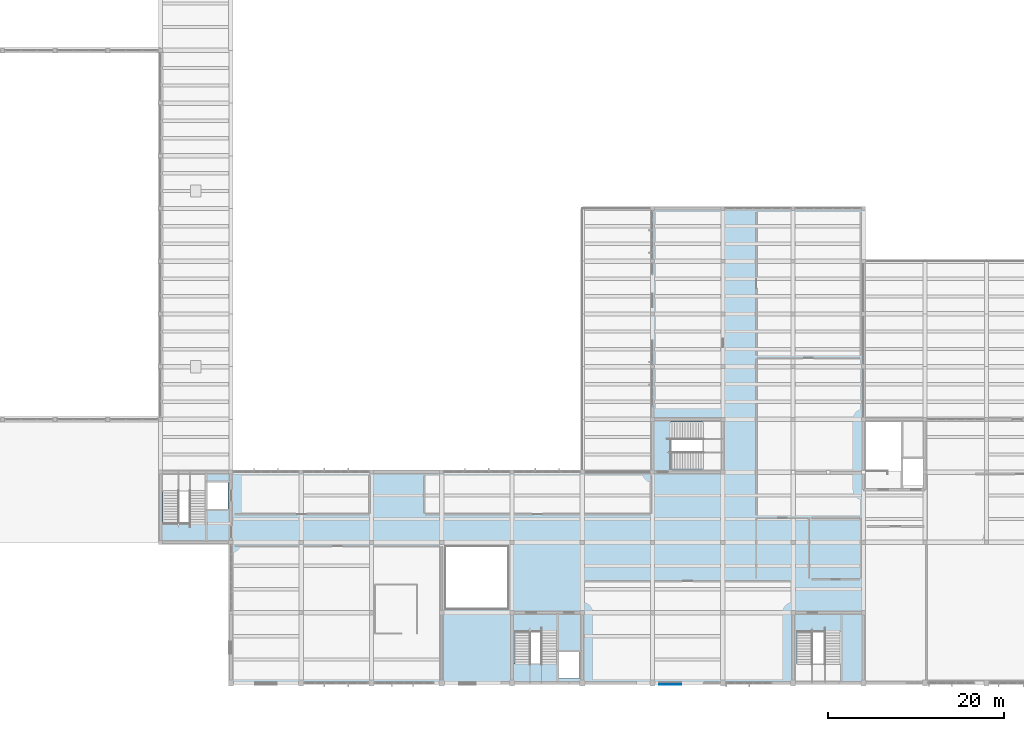
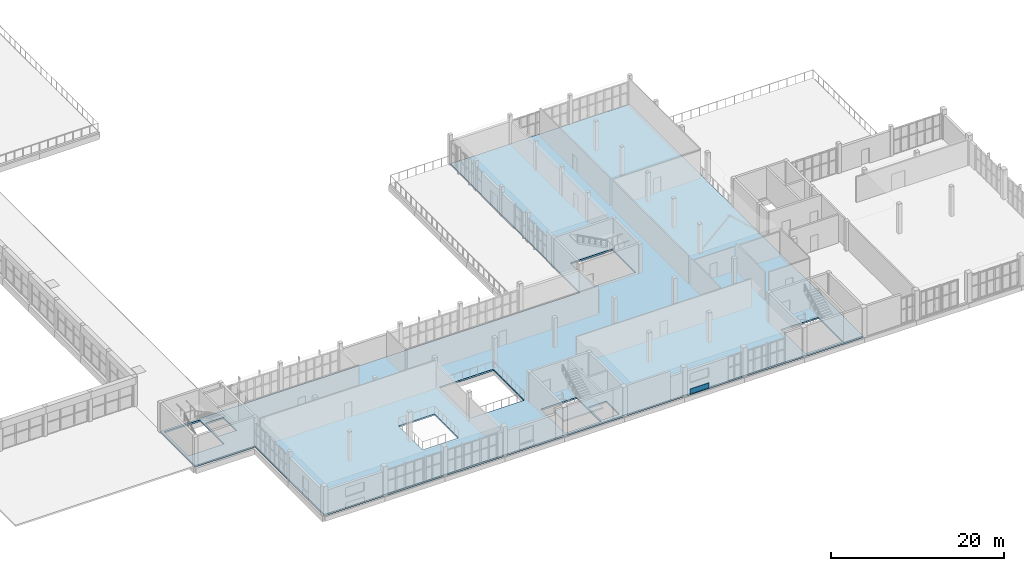
# One storey, part 44 of 70: 2 slabs, 1 plate, 1 element without a shape of its own.
"""IFC4 building model written with IfcOpenShell, lengths in metres."""

from ifc_helpers import new_model, si_unit, direction, frame, origin, origin_2d, place, context, subcontext, project, spatial, polyline, rectangle, outline, extrude, material, layer, layer_set, type_object, element, aggregate, save


model = new_model("IFC4")

# Units and contexts
model_context = context("Model", 3, precision=1e-05, world=origin(), true_north=direction((0.0, 1.0)))
body_context = subcontext(model_context, "Body", "Model", "MODEL_VIEW")
ifc_project = project(units=[si_unit("LENGTHUNIT", "METRE"), si_unit("AREAUNIT", "SQUARE_METRE"), si_unit("VOLUMEUNIT", "CUBIC_METRE"), si_unit("PLANEANGLEUNIT", "RADIAN"), si_unit("MASSUNIT", "GRAM", prefix="KILO")], contexts=[model_context])

# Site, building, storey
site_placement = place(None, origin())
site = spatial("IfcSite", under=ifc_project, at=site_placement, CompositionType="ELEMENT")
building_placement = place(site_placement, origin())
building = spatial("IfcBuilding", under=site, at=building_placement, Name="Solvane Community Centre", CompositionType="ELEMENT")
storey_placement = place(building_placement, frame((0.0, 0.0, 9.60009765625)))
storey = spatial("IfcBuildingStorey", under=building, at=storey_placement, Name="L02", CompositionType="ELEMENT", Elevation=9.60009765625)

# Plate
ifc_material_1 = material(Name="Anodised bronze aluminium AW-6063 T6", Category="aluminium")
ifc_layer_1 = layer(ifc_material_1, 0.02392578125)
ifc_layer_set_1 = layer_set([ifc_layer_1], Name="Anodised bronze aluminium AW-6063 T6")
plate_type = type_object("IfcPlateType", Name="Bronze Spandrel Cassette 24mm", PredefinedType="SHEET", material=ifc_layer_set_1)
plate_placement = place(storey_placement, frame((118.0, 5.81298828125, 0.06005859375), z_axis=(0.0, 0.0, 1.0), x_axis=(-1.0, 0.0, 0.0)))
element("IfcPlate", 1, at=plate_placement, inside=storey, type_object=plate_type, Name="Art Deco Spandrel SPC-L02-030", PredefinedType="SHEET", context=body_context, shape_type="SweptSolid", body=[
    extrude(rectangle(XDim=2.5, YDim=0.02392578125, at=origin_2d()), origin(), (0.0, 0.0, 1.0), 0.719970703125),
])

# Slab
ifc_material_2 = material(Name="Cross-laminated timber C24", Category="wood")
ifc_layer_2 = layer(ifc_material_2, 0.219970703125)
ifc_layer_set_2 = layer_set([ifc_layer_2], Name="Cross-laminated timber C24")
slab_type_1 = type_object("IfcSlabType", Name="CLT-Concrete Composite Floor Deck 220mm [FP-L02-V4]", PredefinedType="FLOOR", material=ifc_layer_set_2)
slab_1_placement = place(storey_placement, frame((0.0, 0.0, -0.22021484375)))
element("IfcSlab", 2, at=slab_1_placement, inside=storey, type_object=slab_type_1, Name="Floor Slab FP-L02-V4", PredefinedType="FLOOR", context=body_context, shape_type="SweptSolid", body=[
    extrude(outline(polyline([(60.0, 22.0), (68.0, 22.0), (68.0, 6.0), (140.0, 6.0), (140.0, 60.0), (116.0, 60.0), (116.0, 30.0), (60.0, 30.0), (60.0, 22.0)]), holes=[polyline([(60.300048828125, 24.1201171875), (65.10009765625, 24.1201171875), (65.10009765625, 29.699951171875), (60.300048828125, 29.699951171875), (60.300048828125, 24.1201171875)]), polyline([(65.300048828125, 25.800048828125), (67.699951171875, 25.800048828125), (67.699951171875, 28.800048828125), (65.300048828125, 28.800048828125), (65.300048828125, 25.800048828125)]), polyline([(100.300048828125, 6.300048828125), (105.10009765625, 6.300048828125), (105.10009765625, 11.8798828125), (100.300048828125, 11.8798828125), (100.300048828125, 6.300048828125)]), polyline([(105.300048828125, 6.5), (107.699951171875, 6.5), (107.699951171875, 9.5), (105.300048828125, 9.5), (105.300048828125, 6.5)]), polyline([(132.39990234375, 6.300048828125), (137.39990234375, 6.300048828125), (137.39990234375, 11.8798828125), (132.39990234375, 11.8798828125), (132.39990234375, 6.300048828125)]), polyline([(118.02001953125, 30.300048828125), (123.60009765625, 30.300048828125), (123.60009765625, 35.699951171875), (118.02001953125, 35.699951171875), (118.02001953125, 30.300048828125)]), polyline([(84.39990234375, 11.639892578125), (89.199951171875, 11.639892578125), (89.199951171875, 17.199951171875), (84.39990234375, 17.199951171875), (84.39990234375, 11.639892578125)]), polyline([(92.39990234375, 14.39990234375), (99.60009765625, 14.39990234375), (99.60009765625, 21.60009765625), (92.39990234375, 21.60009765625), (92.39990234375, 14.39990234375)])]), origin(), (0.0, 0.0, 1.0), 0.22021484375),
])

# Stair, slab
ifc_material_3 = material(Name="Concrete C35/45", Category="concrete")
stair_type = type_object("IfcStairType", Name="RC Two-Flight Escape Stair 1720mm", PredefinedType="TWO_STRAIGHT_RUN_STAIR", material=ifc_material_3)
stair_placement = place(storey_placement, origin())
stair = element("IfcStair", 3, at=stair_placement, inside=storey, type_object=stair_type, Name="Stair STR-C2-L02", PredefinedType="TWO_STRAIGHT_RUN_STAIR")
ifc_layer_3 = layer(ifc_material_3, 0.199951171875)
ifc_layer_set_3 = layer_set([ifc_layer_3], Name="Concrete C35/45")
slab_type_2 = type_object("IfcSlabType", Name="RC Stair Half-Landing Slab 200mm", PredefinedType="LANDING", material=ifc_layer_set_3)
slab_2_placement = place(storey_placement, frame((0.0, 0.0, 1.89990234375)))
slab_2 = element("IfcSlab", 4, at=slab_2_placement, type_object=slab_type_2, Name="ST-02 landing 1", PredefinedType="LANDING", context=body_context, shape_type="SweptSolid", body=[
    extrude(outline(polyline([(99.9599609375, 5.9599609375), (105.239990234375, 5.9599609375), (105.239990234375, 8.199951171875), (99.9599609375, 8.199951171875), (99.9599609375, 5.9599609375)])), origin(), (0.0, 0.0, 1.0), 0.199951171875),
])
aggregate(stair, [slab_2])

save(model, "model.ifc")
